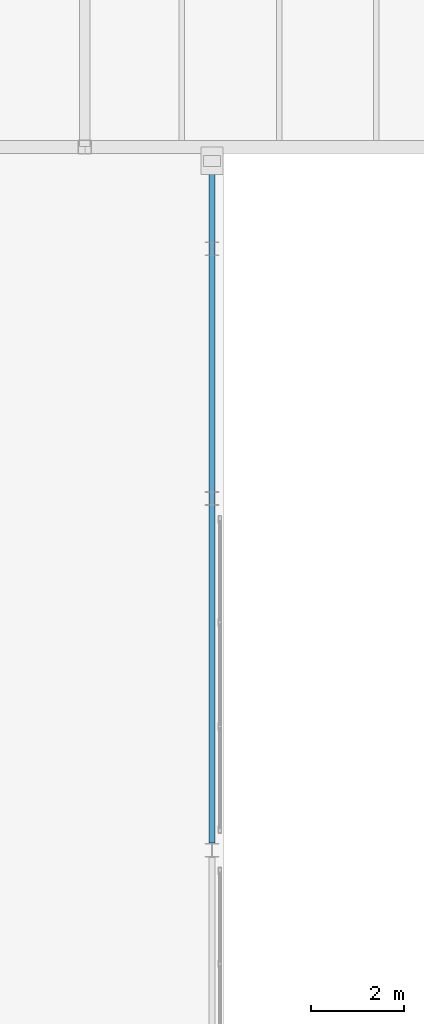
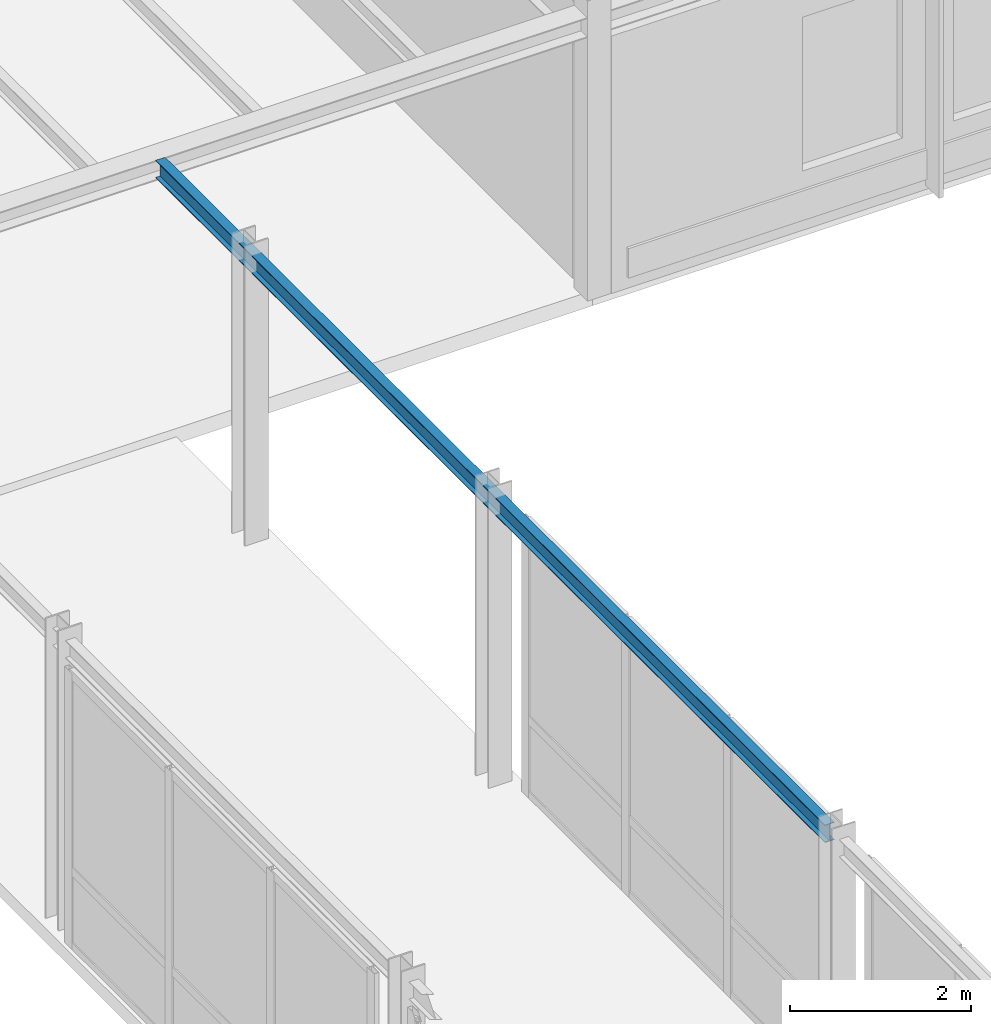
# One storey, part 85 of 165: 1 beam.
"""IFC4 building model written with IfcOpenShell, lengths in metres."""

from ifc_helpers import new_model, si_unit, direction, frame, origin, origin_2d, place, context, subcontext, project, spatial, i_section, extrude, material, material_profile, profile_set, type_object, element, save


model = new_model("IFC4")

# Units and contexts
model_context = context("Model", 3, precision=1e-05, world=origin(), true_north=direction((0.0, 1.0)))
body_context = subcontext(model_context, "Body", "Model", "MODEL_VIEW")
ifc_project = project(units=[si_unit("LENGTHUNIT", "METRE"), si_unit("AREAUNIT", "SQUARE_METRE"), si_unit("VOLUMEUNIT", "CUBIC_METRE"), si_unit("PLANEANGLEUNIT", "RADIAN"), si_unit("MASSUNIT", "GRAM", prefix="KILO")], contexts=[model_context])

# Site, building, storey
site_placement = place(None, origin())
site = spatial("IfcSite", under=ifc_project, at=site_placement, CompositionType="ELEMENT")
building_placement = place(site_placement, origin())
building = spatial("IfcBuilding", under=site, at=building_placement, Name="Montecoro Central Library", CompositionType="ELEMENT")
storey_placement = place(building_placement, frame((0.0, 0.0, 5.10009765625)))
storey = spatial("IfcBuildingStorey", under=building, at=storey_placement, Name="L01", CompositionType="ELEMENT", Elevation=5.10009765625)

# Beam
ifc_material = material(Name="Steel S355", Category="steel")
ifc_material_profile = material_profile(ifc_material, i_section(OverallWidth=0.1201171875, OverallDepth=0.239990234375, WebThickness=0.006103515625, FlangeThickness=0.009765625, at=origin_2d()), Name="IPE 240")
ifc_profile_set = profile_set([ifc_material_profile], Name="Steel S355")
beam_type = type_object("IfcBeamType", Name="BM-SP-IPE240", PredefinedType="SPANDREL", material=ifc_profile_set)
beam_placement = place(storey_placement, frame((94.35009765625, 65.9599609375, 3.77490234375), z_axis=(0.0, 1.0, 0.0), x_axis=(-1.0, 0.0, 0.0)))
element("IfcBeam", 1, at=beam_placement, inside=storey, type_object=beam_type, Name="BR-N-L02-BM-E2", PredefinedType="SPANDREL", context=body_context, shape_type="SweptSolid", body=[
    extrude(i_section(OverallWidth=0.1201171875, OverallDepth=0.239990234375, WebThickness=0.006103515625, FlangeThickness=0.009765625, at=origin_2d()), origin(), (0.0, 0.0, 1.0), 14.820068359375),
])

save(model, "model.ifc")
